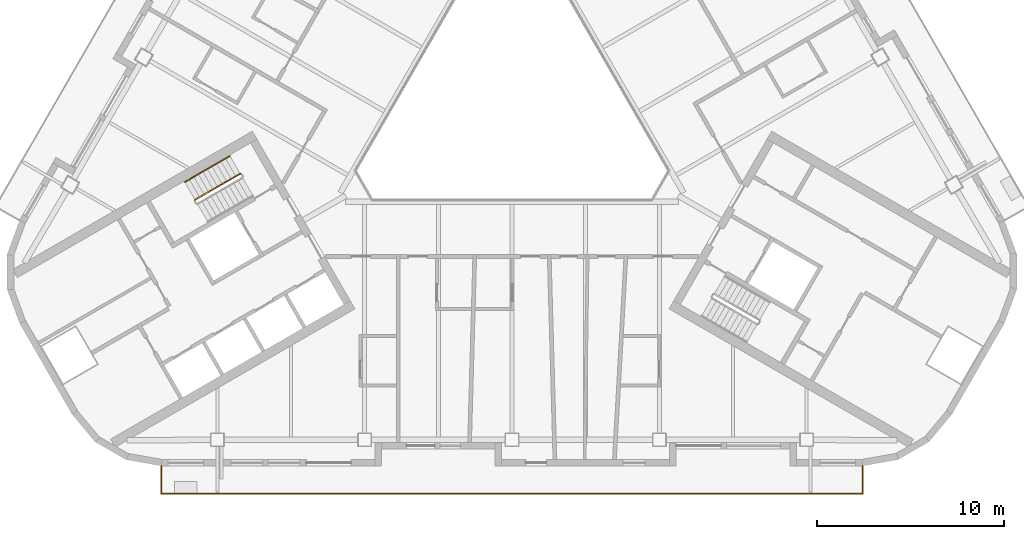
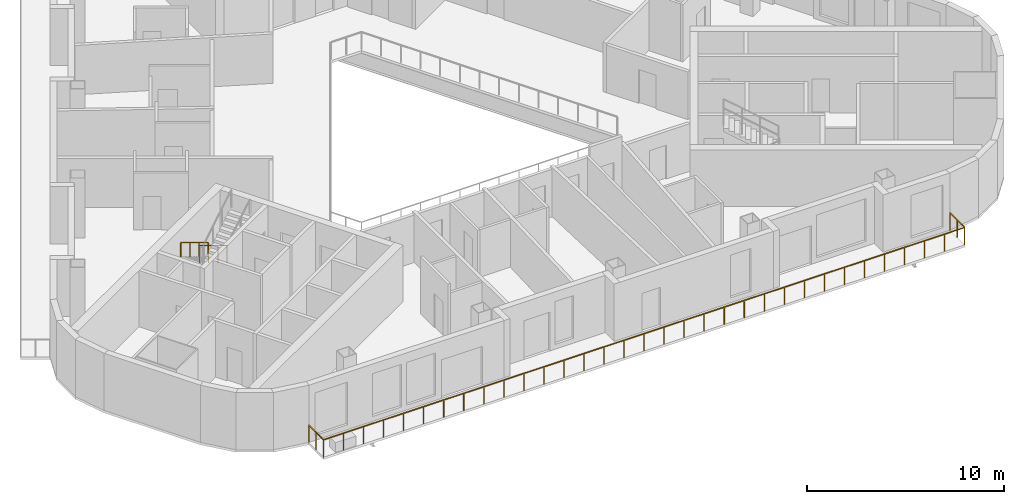
# One storey, part 10 of 14: 3 railings.
"""IFC4 building model written with IfcOpenShell, lengths in metres."""

from ifc_helpers import new_model, si_unit, direction, frame, origin, origin_2d, place, context, subcontext, project, spatial, rectangle, circle, extrude, material, type_object, element, save


model = new_model("IFC4")

# Units and contexts
model_context = context("Model", 3, precision=1e-05, world=origin(), true_north=direction((0.0, 1.0)))
body_context = subcontext(model_context, "Body", "Model", "MODEL_VIEW")
ifc_project = project(units=[si_unit("LENGTHUNIT", "METRE"), si_unit("AREAUNIT", "SQUARE_METRE"), si_unit("VOLUMEUNIT", "CUBIC_METRE"), si_unit("PLANEANGLEUNIT", "RADIAN"), si_unit("MASSUNIT", "GRAM", prefix="KILO")], contexts=[model_context])

# Site, building, storey
site_placement = place(None, origin())
site = spatial("IfcSite", under=ifc_project, at=site_placement, CompositionType="ELEMENT")
building_placement = place(site_placement, origin())
building = spatial("IfcBuilding", under=site, at=building_placement, Name="Apuvela Tower Hotel", CompositionType="ELEMENT")
storey_placement = place(building_placement, frame((0.0, 0.0, 216.89990234375)))
storey = spatial("IfcBuildingStorey", under=building, at=storey_placement, Name="L53", CompositionType="ELEMENT", Elevation=216.89990234375)

# Railings
ifc_material_1 = material(Name="Steel S275 balustrade", Category="steel")
railing_type_1 = type_object("IfcRailingType", Name="COR-GUARD-1100", PredefinedType="GUARDRAIL", material=ifc_material_1)
railing_1_placement = place(storey_placement, frame((-14.569091796875, -3.9658203125, 0.168212890625)))
element("IfcRailing", 1, at=railing_1_placement, inside=storey, type_object=railing_type_1, Name="L53 ST2 stair guard 1", PredefinedType="GUARDRAIL", context=body_context, shape_type="SweptSolid", body=[
    extrude(rectangle(XDim=0.048095703125, YDim=0.048095703125, at=origin_2d()), frame((0.0, 0.0, 1.076171875), z_axis=(-0.742390482028, -0.42860119049, 0.514934356695), x_axis=(0.49998411664, -0.866034573852, 0.0)), (0.0, 0.0, 1.0), 3.26611328125),
    extrude(rectangle(XDim=0.0419921875, YDim=0.0419921875, at=origin_2d()), origin(), (0.0, 0.0, 1.0), 1.052001953125),
    extrude(rectangle(XDim=0.0419921875, YDim=0.0419921875, at=origin_2d()), frame((-0.808349609375, -0.466552734375, 0.560546875)), (0.0, 0.0, 1.0), 1.052001953125),
    extrude(rectangle(XDim=0.0419921875, YDim=0.0419921875, at=origin_2d()), frame((-1.616455078125, -0.933349609375, 1.121337890625)), (0.0, 0.0, 1.0), 1.052001953125),
    extrude(rectangle(XDim=0.0419921875, YDim=0.0419921875, at=origin_2d()), frame((-2.4248046875, -1.39990234375, 1.681884765625)), (0.0, 0.0, 1.0), 1.052001953125),
])
ifc_material_2 = material(Name="Stainless steel 316 handrail", Category="steel")
railing_type_2 = type_object("IfcRailingType", Name="COR-HANDRAIL-900", PredefinedType="HANDRAIL", material=ifc_material_2)
railing_2_placement = place(storey_placement, frame((-15.118896484375, -3.01318359375, 0.168212890625)))
element("IfcRailing", 2, at=railing_2_placement, inside=storey, type_object=railing_type_2, Name="L53 ST2 stair handrail 1", PredefinedType="HANDRAIL", context=body_context, shape_type="SweptSolid", body=[
    extrude(circle(Radius=0.02392578125, at=origin_2d()), frame((0.0, 0.0, 0.8759765625), z_axis=(-0.742424030051, -0.428577407461, 0.514905783049), x_axis=(0.49994636267, -0.866056369097, 0.0)), (0.0, 0.0, 1.0), 3.266357421875),
    extrude(rectangle(XDim=0.0419921875, YDim=0.0419921875, at=origin_2d()), origin(), (0.0, 0.0, 1.0), 0.851806640625),
    extrude(rectangle(XDim=0.0419921875, YDim=0.0419921875, at=origin_2d()), frame((-0.808349609375, -0.466552734375, 0.560546875)), (0.0, 0.0, 1.0), 0.851806640625),
    extrude(rectangle(XDim=0.0419921875, YDim=0.0419921875, at=origin_2d()), frame((-1.61669921875, -0.933349609375, 1.121337890625)), (0.0, 0.0, 1.0), 0.851806640625),
    extrude(rectangle(XDim=0.0419921875, YDim=0.0419921875, at=origin_2d()), frame((-2.425048828125, -1.39990234375, 1.681884765625)), (0.0, 0.0, 1.0), 0.851806640625),
])
ifc_material_3 = material(Name="Stainless steel 316 rail with laminated glass infill", Category="steel")
railing_type_3 = type_object("IfcRailingType", Name="ENV-GUARD-1100", PredefinedType="GUARDRAIL", material=ifc_material_3)
railing_3_placement = place(storey_placement, frame((-18.81591796875, -19.6298828125, 0.0)))
element("IfcRailing", 3, at=railing_3_placement, inside=storey, type_object=railing_type_3, Name="Balcony guard S L53", PredefinedType="GUARDRAIL", context=body_context, shape_type="SweptSolid", body=[
    extrude(rectangle(XDim=0.050048828125, YDim=0.050048828125, at=origin_2d()), frame((0.0, 0.0, 1.0751953125), z_axis=(0.0, -1.0, 0.0), x_axis=(1.0, 0.0, 0.0)), (0.0, 0.0, 1.0), 1.5),
    extrude(rectangle(XDim=0.050048828125, YDim=0.050048828125, at=origin_2d()), frame((0.0, -1.5, 1.0751953125), z_axis=(1.0, 0.0, 0.0), x_axis=(0.0, 1.0, 0.0)), (0.0, 0.0, 1.0), 37.6318359375),
    extrude(rectangle(XDim=0.050048828125, YDim=0.050048828125, at=origin_2d()), frame((37.6318359375, -1.5, 1.0751953125), z_axis=(0.0, 1.0, 0.0), x_axis=(-1.0, 0.0, 0.0)), (0.0, 0.0, 1.0), 1.5),
    extrude(rectangle(XDim=0.0400390625, YDim=0.0400390625, at=origin_2d()), origin(), (0.0, 0.0, 1.0), 1.050048828125),
    extrude(rectangle(XDim=0.0400390625, YDim=0.0400390625, at=origin_2d()), frame((0.0, -0.75, 0.0)), (0.0, 0.0, 1.0), 1.050048828125),
    extrude(rectangle(XDim=0.0400390625, YDim=0.0400390625, at=origin_2d()), frame((0.0, -1.5, 0.0)), (0.0, 0.0, 1.0), 1.050048828125),
    extrude(rectangle(XDim=0.0400390625, YDim=0.0400390625, at=origin_2d()), frame((1.176025390625, -1.5, 0.0)), (0.0, 0.0, 1.0), 1.050048828125),
    extrude(rectangle(XDim=0.0400390625, YDim=0.0400390625, at=origin_2d()), frame((2.35205078125, -1.5, 0.0)), (0.0, 0.0, 1.0), 1.050048828125),
    extrude(rectangle(XDim=0.0400390625, YDim=0.0400390625, at=origin_2d()), frame((3.528076171875, -1.5, 0.0)), (0.0, 0.0, 1.0), 1.050048828125),
    extrude(rectangle(XDim=0.0400390625, YDim=0.0400390625, at=origin_2d()), frame((4.7041015625, -1.5, 0.0)), (0.0, 0.0, 1.0), 1.050048828125),
    extrude(rectangle(XDim=0.0400390625, YDim=0.0400390625, at=origin_2d()), frame((5.8798828125, -1.5, 0.0)), (0.0, 0.0, 1.0), 1.050048828125),
    extrude(rectangle(XDim=0.0400390625, YDim=0.0400390625, at=origin_2d()), frame((7.055908203125, -1.5, 0.0)), (0.0, 0.0, 1.0), 1.050048828125),
    extrude(rectangle(XDim=0.0400390625, YDim=0.0400390625, at=origin_2d()), frame((8.23193359375, -1.5, 0.0)), (0.0, 0.0, 1.0), 1.050048828125),
    extrude(rectangle(XDim=0.0400390625, YDim=0.0400390625, at=origin_2d()), frame((9.407958984375, -1.5, 0.0)), (0.0, 0.0, 1.0), 1.050048828125),
    extrude(rectangle(XDim=0.0400390625, YDim=0.0400390625, at=origin_2d()), frame((10.583984375, -1.5, 0.0)), (0.0, 0.0, 1.0), 1.050048828125),
    extrude(rectangle(XDim=0.0400390625, YDim=0.0400390625, at=origin_2d()), frame((11.760009765625, -1.5, 0.0)), (0.0, 0.0, 1.0), 1.050048828125),
    extrude(rectangle(XDim=0.0400390625, YDim=0.0400390625, at=origin_2d()), frame((12.93603515625, -1.5, 0.0)), (0.0, 0.0, 1.0), 1.050048828125),
    extrude(rectangle(XDim=0.0400390625, YDim=0.0400390625, at=origin_2d()), frame((14.11181640625, -1.5, 0.0)), (0.0, 0.0, 1.0), 1.050048828125),
    extrude(rectangle(XDim=0.0400390625, YDim=0.0400390625, at=origin_2d()), frame((15.287841796875, -1.5, 0.0)), (0.0, 0.0, 1.0), 1.050048828125),
    extrude(rectangle(XDim=0.0400390625, YDim=0.0400390625, at=origin_2d()), frame((16.4638671875, -1.5, 0.0)), (0.0, 0.0, 1.0), 1.050048828125),
    extrude(rectangle(XDim=0.0400390625, YDim=0.0400390625, at=origin_2d()), frame((17.639892578125, -1.5, 0.0)), (0.0, 0.0, 1.0), 1.050048828125),
    extrude(rectangle(XDim=0.0400390625, YDim=0.0400390625, at=origin_2d()), frame((18.81591796875, -1.5, 0.0)), (0.0, 0.0, 1.0), 1.050048828125),
    extrude(rectangle(XDim=0.0400390625, YDim=0.0400390625, at=origin_2d()), frame((19.991943359375, -1.5, 0.0)), (0.0, 0.0, 1.0), 1.050048828125),
    extrude(rectangle(XDim=0.0400390625, YDim=0.0400390625, at=origin_2d()), frame((21.16796875, -1.5, 0.0)), (0.0, 0.0, 1.0), 1.050048828125),
    extrude(rectangle(XDim=0.0400390625, YDim=0.0400390625, at=origin_2d()), frame((22.343994140625, -1.5, 0.0)), (0.0, 0.0, 1.0), 1.050048828125),
    extrude(rectangle(XDim=0.0400390625, YDim=0.0400390625, at=origin_2d()), frame((23.52001953125, -1.5, 0.0)), (0.0, 0.0, 1.0), 1.050048828125),
    extrude(rectangle(XDim=0.0400390625, YDim=0.0400390625, at=origin_2d()), frame((24.69580078125, -1.5, 0.0)), (0.0, 0.0, 1.0), 1.050048828125),
    extrude(rectangle(XDim=0.0400390625, YDim=0.0400390625, at=origin_2d()), frame((25.871826171875, -1.5, 0.0)), (0.0, 0.0, 1.0), 1.050048828125),
    extrude(rectangle(XDim=0.0400390625, YDim=0.0400390625, at=origin_2d()), frame((27.0478515625, -1.5, 0.0)), (0.0, 0.0, 1.0), 1.050048828125),
    extrude(rectangle(XDim=0.0400390625, YDim=0.0400390625, at=origin_2d()), frame((28.223876953125, -1.5, 0.0)), (0.0, 0.0, 1.0), 1.050048828125),
    extrude(rectangle(XDim=0.0400390625, YDim=0.0400390625, at=origin_2d()), frame((29.39990234375, -1.5, 0.0)), (0.0, 0.0, 1.0), 1.050048828125),
    extrude(rectangle(XDim=0.0400390625, YDim=0.0400390625, at=origin_2d()), frame((30.575927734375, -1.5, 0.0)), (0.0, 0.0, 1.0), 1.050048828125),
    extrude(rectangle(XDim=0.0400390625, YDim=0.0400390625, at=origin_2d()), frame((31.751953125, -1.5, 0.0)), (0.0, 0.0, 1.0), 1.050048828125),
    extrude(rectangle(XDim=0.0400390625, YDim=0.0400390625, at=origin_2d()), frame((32.927734375, -1.5, 0.0)), (0.0, 0.0, 1.0), 1.050048828125),
    extrude(rectangle(XDim=0.0400390625, YDim=0.0400390625, at=origin_2d()), frame((34.103759765625, -1.5, 0.0)), (0.0, 0.0, 1.0), 1.050048828125),
    extrude(rectangle(XDim=0.0400390625, YDim=0.0400390625, at=origin_2d()), frame((35.27978515625, -1.5, 0.0)), (0.0, 0.0, 1.0), 1.050048828125),
    extrude(rectangle(XDim=0.0400390625, YDim=0.0400390625, at=origin_2d()), frame((36.455810546875, -1.5, 0.0)), (0.0, 0.0, 1.0), 1.050048828125),
    extrude(rectangle(XDim=0.0400390625, YDim=0.0400390625, at=origin_2d()), frame((37.6318359375, -1.5, 0.0)), (0.0, 0.0, 1.0), 1.050048828125),
    extrude(rectangle(XDim=0.0400390625, YDim=0.0400390625, at=origin_2d()), frame((37.6318359375, -0.75, 0.0)), (0.0, 0.0, 1.0), 1.050048828125),
    extrude(rectangle(XDim=0.0400390625, YDim=0.0400390625, at=origin_2d()), frame((37.6318359375, 0.0, 0.0)), (0.0, 0.0, 1.0), 1.050048828125),
])

save(model, "model.ifc")
